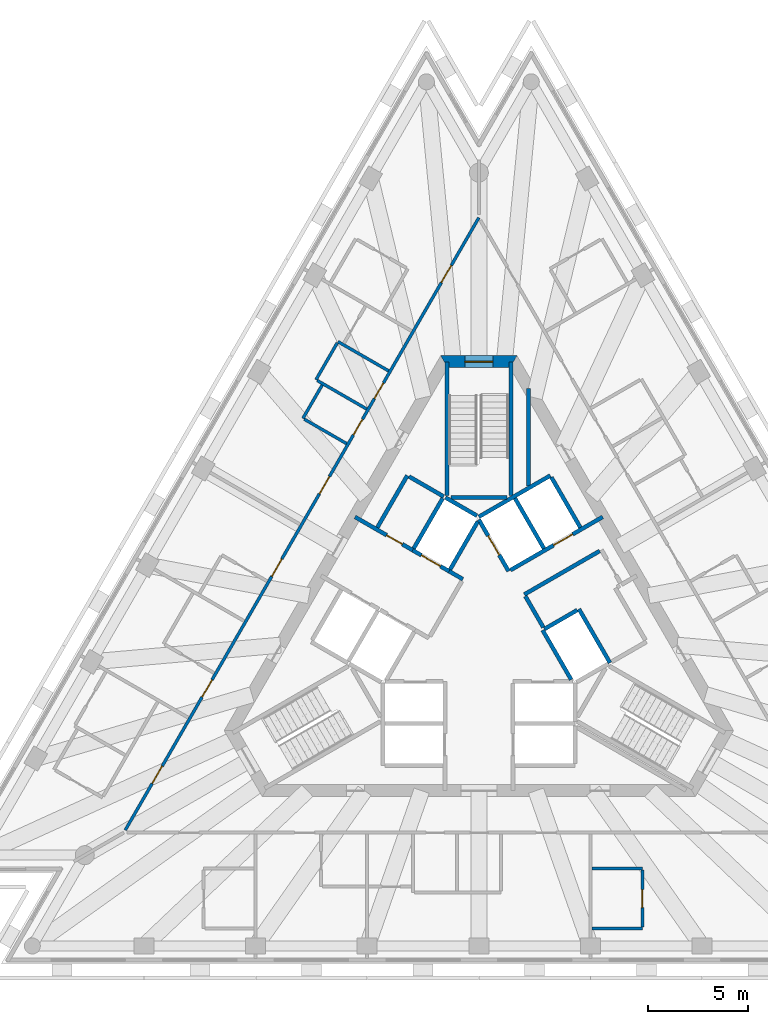
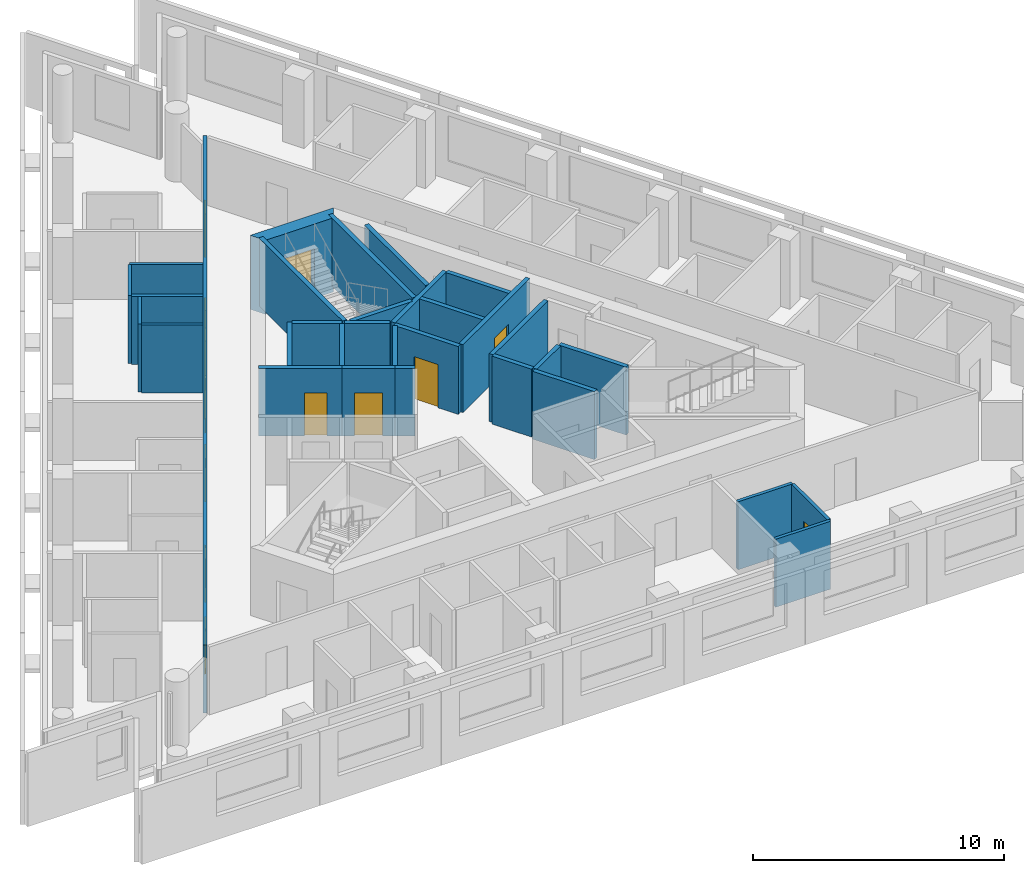
# One storey, part 5 of 10: 32 walls, 13 doors, 13 openings.
"""IFC4 building model written with IfcOpenShell, lengths in metres."""

from ifc_helpers import new_model, si_unit, direction, frame, frame_2d, origin, place, context, subcontext, project, spatial, polyline, rectangle, outline, extrude, material, layer, layer_set, type_object, element, fill, save


model = new_model("IFC4")

# Units and contexts
model_context = context("Model", 3, precision=1e-05, world=origin(), true_north=direction((0.0, 1.0)))
body_context = subcontext(model_context, "Body", "Model", "MODEL_VIEW")
ifc_project = project(units=[si_unit("LENGTHUNIT", "METRE"), si_unit("AREAUNIT", "SQUARE_METRE"), si_unit("VOLUMEUNIT", "CUBIC_METRE"), si_unit("PLANEANGLEUNIT", "RADIAN"), si_unit("MASSUNIT", "GRAM", prefix="KILO")], contexts=[model_context])

# Site, building, storey
site_placement = place(None, origin())
site = spatial("IfcSite", under=ifc_project, at=site_placement, CompositionType="ELEMENT")
building_placement = place(site_placement, origin())
building = spatial("IfcBuilding", under=site, at=building_placement, Name="Triada Interchange Tower", CompositionType="ELEMENT")
storey_placement = place(building_placement, frame((0.0, 0.0, 271.89990234375)))
storey = spatial("IfcBuildingStorey", under=building, at=storey_placement, Name="L63", CompositionType="ELEMENT", Elevation=271.89990234375)

# Wall
ifc_material_1 = material(Name="Concrete C30/37", Category="concrete")
ifc_layer_1 = layer(ifc_material_1, 0.199951171875)
ifc_layer_set_1 = layer_set([ifc_layer_1], Name="CORE WALL 200 EI 120")
wall_type_1 = type_object("IfcWallType", Name="CORE WALL 200 EI 120", PredefinedType="SOLIDWALL", material=ifc_layer_set_1)
wall_1_placement = place(storey_placement, frame((-0.001953125, 5.541015625, 0.0), z_axis=(0.0, 0.0, 1.0), x_axis=(0.86600155993, 0.500041296494, 0.0)))
element("IfcWall", 1, at=wall_1_placement, inside=storey, type_object=wall_type_1, Name="Wall L62 76", PredefinedType="SOLIDWALL", context=body_context, shape_type="SweptSolid", body=[
    extrude(rectangle(XDim=4.131591796875, YDim=0.199951171875, at=frame_2d((2.06591796875, 0.0))), origin(), (0.0, 0.0, 1.0), 3.300048828125),
])

# Wall, opening, door
wall_2_placement = place(storey_placement, frame((0.0, 5.39990234375, 0.0), z_axis=(0.0, 0.0, 1.0), x_axis=(0.500103862429, -0.865965430478, 0.0)))
wall_2 = element("IfcWall", 2, at=wall_2_placement, inside=storey, type_object=wall_type_1, Name="Wall L62 77", PredefinedType="SOLIDWALL", context=body_context, shape_type="SweptSolid", body=[
    extrude(rectangle(XDim=2.973388671875, YDim=0.199951171875, at=frame_2d((1.48681640625, 0.0))), origin(), (0.0, 0.0, 1.0), 3.300048828125),
])
opening_1_placement = place(wall_2_placement, frame((0.93701171875, 0.0, 0.0)))
opening_1 = element("IfcOpeningElement", 3, at=opening_1_placement, cuts=wall_2, Name="Opening LD-HR5", PredefinedType="OPENING", context=body_context, shape_type="SweptSolid", body=[
    extrude(rectangle(XDim=1.10009765625, YDim=2.10009765625, at=frame_2d((0.550048828125, 1.050048828125))), frame((0.0, 0.10986328125, 0.0), z_axis=(0.0, -1.0, 0.0), x_axis=(1.0, 0.0, 0.0)), (0.0, 0.0, 1.0), 0.219970703125),
])
ifc_material_2 = material(Name="Steel S235 door leaf", Category="steel")
door_type_1 = type_object("IfcDoorType", Name="LIFT LANDING DOOR 1100 EI 120", OperationType="SLIDING_TO_LEFT", PredefinedType="DOOR", material=ifc_material_2)
door_1_placement = place(opening_1_placement, origin())
door_1 = element("IfcDoor", 4, at=door_1_placement, inside=storey, type_object=door_type_1, Name="HR5 landing door L63", OperationType="SLIDING_TO_LEFT", OverallHeight=2.10009765625, OverallWidth=1.10009765625, PredefinedType="DOOR", context=body_context, shape_type="SweptSolid", body=[
    extrude(rectangle(XDim=1.10009765625, YDim=2.10009765625, at=frame_2d((0.550048828125, 1.050048828125))), frame((0.0, 0.02490234375, 0.0), z_axis=(0.0, -1.0, 0.0), x_axis=(1.0, 0.0, 0.0)), (0.0, 0.0, 1.0), 0.050048828125),
])
fill(opening_1, door_1)

# Wall
wall_3_placement = place(storey_placement, frame((3.18994140625, -0.125, 0.0), z_axis=(0.0, 0.0, 1.0), x_axis=(0.499988658015, -0.866031951983, 0.0)))
element("IfcWall", 5, at=wall_3_placement, inside=storey, type_object=wall_type_1, Name="Wall L62 78", PredefinedType="SOLIDWALL", context=body_context, shape_type="SweptSolid", body=[
    extrude(rectangle(XDim=2.85791015625, YDim=0.199951171875, at=frame_2d((1.428955078125, 0.0))), origin(), (0.0, 0.0, 1.0), 3.300048828125),
])

# Wall, opening, door
wall_4_placement = place(storey_placement, frame((1.577880859375, 2.8740234375, 0.0), z_axis=(0.0, 0.0, 1.0), x_axis=(0.866045911672, 0.499964477614, 0.0)))
wall_4 = element("IfcWall", 6, at=wall_4_placement, inside=storey, type_object=wall_type_1, Name="Wall L62 79", PredefinedType="SOLIDWALL", context=body_context, shape_type="SweptSolid", body=[
    extrude(rectangle(XDim=5.32666015625, YDim=0.199951171875, at=frame_2d((2.663330078125, 0.0))), origin(), (0.0, 0.0, 1.0), 3.300048828125),
])
opening_2_placement = place(wall_4_placement, frame((2.49609375, 0.0, 0.0)))
opening_2 = element("IfcOpeningElement", 7, at=opening_2_placement, cuts=wall_4, Name="Opening LD-HR6", PredefinedType="OPENING", context=body_context, shape_type="SweptSolid", body=[
    extrude(rectangle(XDim=1.10009765625, YDim=2.10009765625, at=frame_2d((0.550048828125, 1.050048828125))), frame((0.0, 0.10986328125, 0.0), z_axis=(0.0, -1.0, 0.0), x_axis=(1.0, 0.0, 0.0)), (0.0, 0.0, 1.0), 0.219970703125),
])
door_2_placement = place(opening_2_placement, origin())
door_2 = element("IfcDoor", 8, at=door_2_placement, inside=storey, type_object=door_type_1, Name="HR6 landing door L63", OperationType="SLIDING_TO_LEFT", OverallHeight=2.10009765625, OverallWidth=1.10009765625, PredefinedType="DOOR", context=body_context, shape_type="SweptSolid", body=[
    extrude(rectangle(XDim=1.10009765625, YDim=2.10009765625, at=frame_2d((0.550048828125, 1.050048828125))), frame((0.0, 0.02490234375, 0.0), z_axis=(0.0, -1.0, 0.0), x_axis=(1.0, 0.0, 0.0)), (0.0, 0.0, 1.0), 0.050048828125),
])
fill(opening_2, door_2)

# Walls
wall_5_placement = place(storey_placement, frame((1.806884765625, 6.469970703125, 0.0), z_axis=(0.0, 0.0, 1.0), x_axis=(0.50012328804, -0.865954211699, 0.0)))
element("IfcWall", 9, at=wall_5_placement, inside=storey, type_object=wall_type_1, Name="Wall L62 83", PredefinedType="SOLIDWALL", context=body_context, shape_type="SweptSolid", body=[
    extrude(rectangle(XDim=2.899658203125, YDim=0.199951171875, at=frame_2d((1.44970703125, 0.0))), origin(), (0.0, 0.0, 1.0), 3.300048828125),
])
wall_6_placement = place(storey_placement, frame((5.007080078125, 0.927978515625, 0.0), z_axis=(0.0, 0.0, 1.0), x_axis=(0.499899694197, -0.866083307622, 0.0)))
element("IfcWall", 10, at=wall_6_placement, inside=storey, type_object=wall_type_1, Name="Wall L62 84", PredefinedType="SOLIDWALL", context=body_context, shape_type="SweptSolid", body=[
    extrude(rectangle(XDim=3.100341796875, YDim=0.199951171875, at=frame_2d((1.55029296875, 0.0))), origin(), (0.0, 0.0, 1.0), 3.300048828125),
])
wall_7_placement = place(storey_placement, frame((3.6259765625, 7.52001953125, 0.0), z_axis=(0.0, 0.0, 1.0), x_axis=(0.500060147554, -0.865990674793, 0.0)))
element("IfcWall", 11, at=wall_7_placement, inside=storey, type_object=wall_type_1, Name="Wall L62 85", PredefinedType="SOLIDWALL", context=body_context, shape_type="SweptSolid", body=[
    extrude(rectangle(XDim=2.899658203125, YDim=0.199951171875, at=frame_2d((1.44970703125, 0.0))), origin(), (0.0, 0.0, 1.0), 3.300048828125),
])
wall_8_placement = place(storey_placement, frame((3.278076171875, -0.071044921875, 0.0), z_axis=(0.0, 0.0, 1.0), x_axis=(0.865784509405, 0.500417009377, 0.0)))
element("IfcWall", 12, at=wall_8_placement, inside=storey, type_object=wall_type_1, Name="Wall L62 86", PredefinedType="SOLIDWALL", context=body_context, shape_type="SweptSolid", body=[
    extrude(rectangle(XDim=1.896484375, YDim=0.199951171875, at=frame_2d((0.9482421875, 0.0))), origin(), (0.0, 0.0, 1.0), 3.300048828125),
])
wall_9_placement = place(storey_placement, frame((2.27490234375, 1.659912109375, 0.0), z_axis=(0.0, 0.0, 1.0), x_axis=(0.866013608182, 0.500020430026, 0.0)))
element("IfcWall", 13, at=wall_9_placement, inside=storey, type_object=wall_type_1, Name="Wall L62 89", PredefinedType="SOLIDWALL", context=body_context, shape_type="SweptSolid", body=[
    extrude(rectangle(XDim=4.349853515625, YDim=0.199951171875, at=frame_2d((2.1748046875, 0.0))), origin(), (0.0, 0.0, 1.0), 3.300048828125),
])
wall_10_placement = place(storey_placement, frame((2.324951171875, 1.572998046875, 0.0), z_axis=(0.0, 0.0, 1.0), x_axis=(0.500004188491, -0.866022985545, 0.0)))
element("IfcWall", 14, at=wall_10_placement, inside=storey, type_object=wall_type_1, Name="Wall L62 90", PredefinedType="SOLIDWALL", context=body_context, shape_type="SweptSolid", body=[
    extrude(rectangle(XDim=1.80029296875, YDim=0.199951171875, at=frame_2d((0.900146484375, 0.0))), origin(), (0.0, 0.0, 1.0), 3.300048828125),
])

# Wall, opening, door
ifc_layer_2 = layer(ifc_material_1, 0.199951171875)
ifc_layer_set_2 = layer_set([ifc_layer_2], Name="CORE WALL 200 EI 180")
wall_type_2 = type_object("IfcWallType", Name="CORE WALL 200 EI 180", PredefinedType="SOLIDWALL", material=ifc_layer_set_2)
wall_11_placement = place(storey_placement, frame((-6.19091796875, 5.537109375, 0.0), z_axis=(0.0, 0.0, 1.0), x_axis=(0.866052607023, -0.499952879648, 0.0)))
wall_11 = element("IfcWall", 15, at=wall_11_placement, inside=storey, type_object=wall_type_2, Name="Wall L62 94", PredefinedType="SOLIDWALL", context=body_context, shape_type="SweptSolid", body=[
    extrude(rectangle(XDim=3.332275390625, YDim=0.199951171875, at=frame_2d((1.666015625, 0.0))), origin(), (0.0, 0.0, 1.0), 3.300048828125),
])
opening_3_placement = place(wall_11_placement, frame((1.830078125, 0.0, 0.0)))
opening_3 = element("IfcOpeningElement", 16, at=opening_3_placement, cuts=wall_11, Name="Opening D62-10", PredefinedType="OPENING", context=body_context, shape_type="SweptSolid", body=[
    extrude(rectangle(XDim=0.89990234375, YDim=2.10009765625, at=frame_2d((0.449951171875, 1.050048828125))), frame((0.0, 0.10986328125, 0.0), z_axis=(0.0, -1.0, 0.0), x_axis=(1.0, 0.0, 0.0)), (0.0, 0.0, 1.0), 0.219970703125),
])
door_type_2 = type_object("IfcDoorType", Name="SERVICE DOOR 900 EI2 90-C5S200", OperationType="NOTDEFINED", PredefinedType="DOOR", material=ifc_material_2)
door_3_placement = place(opening_3_placement, origin())
door_3 = element("IfcDoor", 17, at=door_3_placement, inside=storey, type_object=door_type_2, Name="Door D62-10 L63", OperationType="SINGLE_SWING_LEFT", OverallHeight=2.10009765625, OverallWidth=0.89990234375, PredefinedType="DOOR", context=body_context, shape_type="SweptSolid", body=[
    extrude(rectangle(XDim=0.89990234375, YDim=2.10009765625, at=frame_2d((0.449951171875, 1.050048828125))), frame((0.0, 0.02490234375, 0.0), z_axis=(0.0, -1.0, 0.0), x_axis=(1.0, 0.0, 0.0)), (0.0, 0.0, 1.0), 0.050048828125),
])
fill(opening_3, door_3)

# Walls
wall_12_placement = place(storey_placement, frame((-1.488037109375, 2.822021484375, 0.0), z_axis=(0.0, 0.0, 1.0), x_axis=(0.866236612152, -0.499633997809, 0.0)))
element("IfcWall", 18, at=wall_12_placement, inside=storey, type_object=wall_type_2, Name="Wall L62 95", PredefinedType="SOLIDWALL", context=body_context, shape_type="SweptSolid", body=[
    extrude(rectangle(XDim=0.79638671875, YDim=0.199951171875, at=frame_2d((0.398193359375, 0.0))), origin(), (0.0, 0.0, 1.0), 3.300048828125),
])
wall_13_placement = place(storey_placement, frame((-5.075927734375, 5.009033203125, 0.0), z_axis=(0.0, 0.0, 1.0), x_axis=(0.50002537861, 0.866010750942, 0.0)))
element("IfcWall", 19, at=wall_13_placement, inside=storey, type_object=wall_type_2, Name="Wall L62 96", PredefinedType="SOLIDWALL", context=body_context, shape_type="SweptSolid", body=[
    extrude(rectangle(XDim=2.999755859375, YDim=0.199951171875, at=frame_2d((1.5, 0.0))), origin(), (0.0, 0.0, 1.0), 3.300048828125),
])
wall_14_placement = place(storey_placement, frame((-3.489013671875, 7.556884765625, 0.0), z_axis=(0.0, 0.0, 1.0), x_axis=(0.866010750942, -0.50002537861, 0.0)))
element("IfcWall", 20, at=wall_14_placement, inside=storey, type_object=wall_type_2, Name="Wall L62 97", PredefinedType="SOLIDWALL", context=body_context, shape_type="SweptSolid", body=[
    extrude(rectangle(XDim=2.0, YDim=0.199951171875, at=frame_2d((1.0, 0.0))), origin(), (0.0, 0.0, 1.0), 3.300048828125),
])

# Wall, opening, door
wall_15_placement = place(storey_placement, frame((-3.30908203125, 3.873046875, 0.0), z_axis=(0.0, 0.0, 1.0), x_axis=(0.866098583652, -0.499873227325, 0.0)))
wall_15 = element("IfcWall", 21, at=wall_15_placement, inside=storey, type_object=wall_type_2, Name="Shaft wall FF2 L62 103", PredefinedType="SOLIDWALL", context=body_context, shape_type="SweptSolid", body=[
    extrude(rectangle(XDim=2.1025390625, YDim=0.199951171875, at=frame_2d((1.05126953125, 0.0))), origin(), (0.0, 0.0, 1.0), 3.300048828125),
])
opening_4_placement = place(wall_15_placement, frame((0.501953125, 0.0, 0.0)))
opening_4 = element("IfcOpeningElement", 22, at=opening_4_placement, cuts=wall_15, Name="Opening LD-FF2", PredefinedType="OPENING", context=body_context, shape_type="SweptSolid", body=[
    extrude(rectangle(XDim=1.10009765625, YDim=2.10009765625, at=frame_2d((0.550048828125, 1.050048828125))), frame((0.0, 0.10986328125, 0.0), z_axis=(0.0, -1.0, 0.0), x_axis=(1.0, 0.0, 0.0)), (0.0, 0.0, 1.0), 0.219970703125),
])
door_4_placement = place(opening_4_placement, origin())
door_4 = element("IfcDoor", 23, at=door_4_placement, inside=storey, type_object=door_type_1, Name="FF2 landing door L63", OperationType="SLIDING_TO_LEFT", OverallHeight=2.10009765625, OverallWidth=1.10009765625, PredefinedType="DOOR", context=body_context, shape_type="SweptSolid", body=[
    extrude(rectangle(XDim=1.10009765625, YDim=2.10009765625, at=frame_2d((0.550048828125, 1.050048828125))), frame((0.0, 0.02490234375, 0.0), z_axis=(0.0, -1.0, 0.0), x_axis=(1.0, 0.0, 0.0)), (0.0, 0.0, 1.0), 0.050048828125),
])
fill(opening_4, door_4)

# Walls
wall_16_placement = place(storey_placement, frame((-3.257080078125, 3.958984375, 0.0), z_axis=(0.0, 0.0, 1.0), x_axis=(0.50012328804, 0.865954211699, 0.0)))
element("IfcWall", 24, at=wall_16_placement, inside=storey, type_object=wall_type_2, Name="Shaft wall FF2 L62 104", PredefinedType="SOLIDWALL", context=body_context, shape_type="SweptSolid", body=[
    extrude(rectangle(XDim=2.899658203125, YDim=0.199951171875, at=frame_2d((1.44970703125, 0.0))), origin(), (0.0, 0.0, 1.0), 3.300048828125),
])
wall_17_placement = place(storey_placement, frame((-1.669921875, 6.507080078125, 0.0), z_axis=(0.0, 0.0, 1.0), x_axis=(0.865941441609, -0.500145398563, 0.0)))
element("IfcWall", 25, at=wall_17_placement, inside=storey, type_object=wall_type_2, Name="Shaft wall FF2 L62 105", PredefinedType="SOLIDWALL", context=body_context, shape_type="SweptSolid", body=[
    extrude(rectangle(XDim=1.8154296875, YDim=0.199951171875, at=frame_2d((0.90771484375, 0.0))), origin(), (0.0, 0.0, 1.0), 3.300048828125),
])
wall_18_placement = place(storey_placement, frame((-1.43798828125, 2.908935546875, 0.0), z_axis=(0.0, 0.0, 1.0), x_axis=(0.499829630636, 0.866123744241, 0.0)))
element("IfcWall", 26, at=wall_18_placement, inside=storey, type_object=wall_type_2, Name="Shaft wall FF2 L62 106", PredefinedType="SOLIDWALL", context=body_context, shape_type="SweptSolid", body=[
    extrude(rectangle(XDim=2.7607421875, YDim=0.199951171875, at=frame_2d((1.38037109375, 0.0))), origin(), (0.0, 0.0, 1.0), 3.300048828125),
])
ifc_layer_3 = layer(ifc_material_1, 0.199951171875)
ifc_layer_set_3 = layer_set([ifc_layer_3], Name="CORE WALL 200 EI 90")
wall_type_3 = type_object("IfcWallType", Name="CORE WALL 200 EI 90", PredefinedType="SOLIDWALL", material=ifc_layer_set_3)
wall_19_placement = place(storey_placement, frame((2.48291015625, 7.092041015625, 0.0), z_axis=(0.0, 0.0, 1.0), x_axis=(0.0, 1.0, 0.0)))
element("IfcWall", 27, at=wall_19_placement, inside=storey, type_object=wall_type_3, Name="Wall L62 107", PredefinedType="SOLIDWALL", context=body_context, shape_type="SweptSolid", body=[
    extrude(rectangle(XDim=4.866943359375, YDim=0.199951171875, at=frame_2d((2.43359375, 0.0))), origin(), (0.0, 0.0, 1.0), 3.300048828125),
])
ifc_layer_4 = layer(ifc_material_1, 0.199951171875)
ifc_layer_set_4 = layer_set([ifc_layer_4], Name="CORE WALL 200 REI 240")
wall_type_4 = type_object("IfcWallType", Name="CORE WALL 200 REI 240", PredefinedType="SOLIDWALL", material=ifc_layer_set_4)
wall_20_placement = place(storey_placement, frame((1.60009765625, 6.614990234375, 0.0), z_axis=(0.0, 0.0, 1.0), x_axis=(0.0, 1.0, 0.0)))
element("IfcWall", 28, at=wall_20_placement, inside=storey, type_object=wall_type_4, Name="Wall L62 115", PredefinedType="SOLIDWALL", context=body_context, shape_type="SweptSolid", body=[
    extrude(rectangle(XDim=6.6650390625, YDim=0.199951171875, at=frame_2d((3.33251953125, 0.0))), origin(), (0.0, 0.0, 1.0), 3.300048828125),
])
wall_21_placement = place(storey_placement, frame((-1.39990234375, 6.5, 0.0), z_axis=(0.0, 0.0, 1.0), x_axis=(1.0, 0.0, 0.0)))
element("IfcWall", 29, at=wall_21_placement, inside=storey, type_object=wall_type_4, Name="Wall L62 116", PredefinedType="SOLIDWALL", context=body_context, shape_type="SweptSolid", body=[
    extrude(rectangle(XDim=2.7998046875, YDim=0.199951171875, at=frame_2d((1.39990234375, 0.0))), origin(), (0.0, 0.0, 1.0), 3.300048828125),
])
wall_22_placement = place(storey_placement, frame((-1.60009765625, 6.614990234375, 0.0), z_axis=(0.0, 0.0, 1.0), x_axis=(0.0, 1.0, 0.0)))
element("IfcWall", 30, at=wall_22_placement, inside=storey, type_object=wall_type_4, Name="Wall L62 117", PredefinedType="SOLIDWALL", context=body_context, shape_type="SweptSolid", body=[
    extrude(rectangle(XDim=6.6650390625, YDim=0.199951171875, at=frame_2d((3.33251953125, 0.0))), origin(), (0.0, 0.0, 1.0), 3.300048828125),
])

# Wall, opening, door
ifc_material_3 = material(Name="Concrete C40/50", Category="concrete")
ifc_layer_5 = layer(ifc_material_3, 0.60009765625)
ifc_layer_set_5 = layer_set([ifc_layer_5], Name="Core wall D 600")
wall_type_5 = type_object("IfcWallType", Name="Core wall D 600", PredefinedType="SHEAR", material=ifc_layer_set_5)
wall_23_placement = place(storey_placement, frame((1.73193359375, 13.300048828125, -0.2998046875), z_axis=(0.0, 0.0, 1.0), x_axis=(-1.0, 0.0, 0.0)))
wall_23 = element("IfcWall", 31, at=wall_23_placement, inside=storey, type_object=wall_type_5, Name="Core wall WD01 L63", PredefinedType="SHEAR", context=body_context, shape_type="SweptSolid", body=[
    extrude(outline(polyline([(-0.173095703125, -0.300048828125), (1.73193359375, -0.300048828125), (3.636962890625, -0.300048828125), (3.291015625, 0.300048828125), (1.73193359375, 0.300048828125), (0.173095703125, 0.300048828125), (-0.173095703125, -0.300048828125)])), origin(), (0.0, 0.0, 1.0), 3.599853515625),
])
opening_5_placement = place(wall_23_placement, frame((1.031982421875, 0.0, 0.300048828125)))
opening_5 = element("IfcOpeningElement", 32, at=opening_5_placement, cuts=wall_23, Name="Opening D62-48", PredefinedType="OPENING", context=body_context, shape_type="SweptSolid", body=[
    extrude(rectangle(XDim=1.39990234375, YDim=2.10009765625, at=frame_2d((0.699951171875, 1.050048828125))), frame((0.0, 0.31005859375, 0.0), z_axis=(0.0, -1.0, 0.0), x_axis=(1.0, 0.0, 0.0)), (0.0, 0.0, 1.0), 0.6201171875),
])
door_type_3 = type_object("IfcDoorType", Name="STAIR DOOR 1400 EI2 90-C5S200", OperationType="DOUBLE_DOOR_SINGLE_SWING", PredefinedType="DOOR", material=ifc_material_2)
door_5_placement = place(opening_5_placement, origin())
door_5 = element("IfcDoor", 33, at=door_5_placement, inside=storey, type_object=door_type_3, Name="Door D62-48 L63", OperationType="DOUBLE_DOOR_SINGLE_SWING", OverallHeight=2.10009765625, OverallWidth=1.39990234375, PredefinedType="DOOR", context=body_context, shape_type="SweptSolid", body=[
    extrude(rectangle(XDim=1.39990234375, YDim=2.10009765625, at=frame_2d((0.699951171875, 1.050048828125))), frame((0.0, 0.02490234375, 0.0), z_axis=(0.0, -1.0, 0.0), x_axis=(1.0, 0.0, 0.0)), (0.0, 0.0, 1.0), 0.050048828125),
])
fill(opening_5, door_5)

# Wall, openings, doors
ifc_material_4 = material(Name="Gypsum board partition")
ifc_layer_6 = layer(ifc_material_4, 0.14990234375)
ifc_layer_set_6 = layer_set([ifc_layer_6], Name="PARTITION 150 EI 180")
wall_type_6 = type_object("IfcWallType", Name="PARTITION 150 EI 180", PredefinedType="PARTITIONING", material=ifc_layer_set_6)
wall_24_placement = place(storey_placement, frame((-17.677978515625, -10.1201171875, 0.0), z_axis=(0.0, 0.0, 1.0), x_axis=(0.49998824015, 0.86603219323, 0.0)))
wall_24 = element("IfcWall", 34, at=wall_24_placement, inside=storey, type_object=wall_type_6, Name="Wall L62 4", PredefinedType="PARTITIONING", context=body_context, shape_type="SweptSolid", body=[
    extrude(rectangle(XDim=35.356689453125, YDim=0.14990234375, at=frame_2d((17.67822265625, 0.0))), origin(), (0.0, 0.0, 1.0), 3.300048828125),
])
opening_6_placement = place(wall_24_placement, frame((31.60693359375, 0.0, 0.0)))
opening_6 = element("IfcOpeningElement", 35, at=opening_6_placement, cuts=wall_24, Name="Opening D62-34", PredefinedType="OPENING", context=body_context, shape_type="SweptSolid", body=[
    extrude(rectangle(XDim=1.0, YDim=2.10009765625, at=frame_2d((0.5, 1.050048828125))), frame((0.0, 0.0849609375, 0.0), z_axis=(0.0, -1.0, 0.0), x_axis=(1.0, 0.0, 0.0)), (0.0, 0.0, 1.0), 0.169921875),
])
opening_7_placement = place(wall_24_placement, frame((19.416015625, 0.0, 0.0)))
opening_7 = element("IfcOpeningElement", 36, at=opening_7_placement, cuts=wall_24, Name="Opening D62-36", PredefinedType="OPENING", context=body_context, shape_type="SweptSolid", body=[
    extrude(rectangle(XDim=1.0, YDim=2.10009765625, at=frame_2d((0.5, 1.050048828125))), frame((0.0, 0.0849609375, 0.0), z_axis=(0.0, -1.0, 0.0), x_axis=(1.0, 0.0, 0.0)), (0.0, 0.0, 1.0), 0.169921875),
])
opening_8_placement = place(wall_24_placement, frame((24.916015625, 0.0, 0.0)))
opening_8 = element("IfcOpeningElement", 37, at=opening_8_placement, cuts=wall_24, Name="Opening D62-38", PredefinedType="OPENING", context=body_context, shape_type="SweptSolid", body=[
    extrude(rectangle(XDim=0.89990234375, YDim=2.10009765625, at=frame_2d((0.449951171875, 1.050048828125))), frame((0.0, 0.0849609375, 0.0), z_axis=(0.0, -1.0, 0.0), x_axis=(1.0, 0.0, 0.0)), (0.0, 0.0, 1.0), 0.169921875),
])
opening_9_placement = place(wall_24_placement, frame((22.81591796875, 0.0, 0.0)))
opening_9 = element("IfcOpeningElement", 38, at=opening_9_placement, cuts=wall_24, Name="Opening D62-39", PredefinedType="OPENING", context=body_context, shape_type="SweptSolid", body=[
    extrude(rectangle(XDim=0.89990234375, YDim=2.10009765625, at=frame_2d((0.449951171875, 1.050048828125))), frame((0.0, 0.0849609375, 0.0), z_axis=(0.0, -1.0, 0.0), x_axis=(1.0, 0.0, 0.0)), (0.0, 0.0, 1.0), 0.169921875),
])
opening_10_placement = place(wall_24_placement, frame((14.654052734375, 0.0, 0.0)))
opening_10 = element("IfcOpeningElement", 39, at=opening_10_placement, cuts=wall_24, Name="Opening D62-40", PredefinedType="OPENING", context=body_context, shape_type="SweptSolid", body=[
    extrude(rectangle(XDim=1.0, YDim=2.10009765625, at=frame_2d((0.5, 1.050048828125))), frame((0.0, 0.0849609375, 0.0), z_axis=(0.0, -1.0, 0.0), x_axis=(1.0, 0.0, 0.0)), (0.0, 0.0, 1.0), 0.169921875),
])
opening_11_placement = place(wall_24_placement, frame((7.672119140625, 0.0, 0.0)))
opening_11 = element("IfcOpeningElement", 40, at=opening_11_placement, cuts=wall_24, Name="Opening D62-42", PredefinedType="OPENING", context=body_context, shape_type="SweptSolid", body=[
    extrude(rectangle(XDim=1.0, YDim=2.10009765625, at=frame_2d((0.5, 1.050048828125))), frame((0.0, 0.0849609375, 0.0), z_axis=(0.0, -1.0, 0.0), x_axis=(1.0, 0.0, 0.0)), (0.0, 0.0, 1.0), 0.169921875),
])
opening_12_placement = place(wall_24_placement, frame((2.68994140625, 0.0, 0.0)))
opening_12 = element("IfcOpeningElement", 41, at=opening_12_placement, cuts=wall_24, Name="Opening D62-44", PredefinedType="OPENING", context=body_context, shape_type="SweptSolid", body=[
    extrude(rectangle(XDim=1.0, YDim=2.10009765625, at=frame_2d((0.5, 1.050048828125))), frame((0.0, 0.0849609375, 0.0), z_axis=(0.0, -1.0, 0.0), x_axis=(1.0, 0.0, 0.0)), (0.0, 0.0, 1.0), 0.169921875),
])
door_type_4 = type_object("IfcDoorType", Name="GUEST ROOM DOOR 1000 EI2 90-C5S200", OperationType="NOTDEFINED", PredefinedType="DOOR", material=ifc_material_2)
door_6_placement = place(opening_6_placement, origin())
door_6 = element("IfcDoor", 42, at=door_6_placement, inside=storey, type_object=door_type_4, Name="Door D62-34 L63", OperationType="SINGLE_SWING_RIGHT", OverallHeight=2.10009765625, OverallWidth=1.0, PredefinedType="DOOR", context=body_context, shape_type="SweptSolid", body=[
    extrude(rectangle(XDim=1.0, YDim=2.10009765625, at=frame_2d((0.5, 1.050048828125))), frame((0.0, 0.02490234375, 0.0), z_axis=(0.0, -1.0, 0.0), x_axis=(1.0, 0.0, 0.0)), (0.0, 0.0, 1.0), 0.050048828125),
])
fill(opening_6, door_6)
door_7_placement = place(opening_7_placement, origin())
door_7 = element("IfcDoor", 43, at=door_7_placement, inside=storey, type_object=door_type_4, Name="Door D62-36 L63", OperationType="SINGLE_SWING_RIGHT", OverallHeight=2.10009765625, OverallWidth=1.0, PredefinedType="DOOR", context=body_context, shape_type="SweptSolid", body=[
    extrude(rectangle(XDim=1.0, YDim=2.10009765625, at=frame_2d((0.5, 1.050048828125))), frame((0.0, 0.02490234375, 0.0), z_axis=(0.0, -1.0, 0.0), x_axis=(1.0, 0.0, 0.0)), (0.0, 0.0, 1.0), 0.050048828125),
])
fill(opening_7, door_7)
door_8_placement = place(opening_10_placement, origin())
door_8 = element("IfcDoor", 44, at=door_8_placement, inside=storey, type_object=door_type_4, Name="Door D62-40 L63", OperationType="SINGLE_SWING_RIGHT", OverallHeight=2.10009765625, OverallWidth=1.0, PredefinedType="DOOR", context=body_context, shape_type="SweptSolid", body=[
    extrude(rectangle(XDim=1.0, YDim=2.10009765625, at=frame_2d((0.5, 1.050048828125))), frame((0.0, 0.02490234375, 0.0), z_axis=(0.0, -1.0, 0.0), x_axis=(1.0, 0.0, 0.0)), (0.0, 0.0, 1.0), 0.050048828125),
])
fill(opening_10, door_8)
door_9_placement = place(opening_11_placement, origin())
door_9 = element("IfcDoor", 45, at=door_9_placement, inside=storey, type_object=door_type_4, Name="Door D62-42 L63", OperationType="SINGLE_SWING_LEFT", OverallHeight=2.10009765625, OverallWidth=1.0, PredefinedType="DOOR", context=body_context, shape_type="SweptSolid", body=[
    extrude(rectangle(XDim=1.0, YDim=2.10009765625, at=frame_2d((0.5, 1.050048828125))), frame((0.0, 0.02490234375, 0.0), z_axis=(0.0, -1.0, 0.0), x_axis=(1.0, 0.0, 0.0)), (0.0, 0.0, 1.0), 0.050048828125),
])
fill(opening_11, door_9)
door_10_placement = place(opening_12_placement, origin())
door_10 = element("IfcDoor", 46, at=door_10_placement, inside=storey, type_object=door_type_4, Name="Door D62-44 L63", OperationType="SINGLE_SWING_LEFT", OverallHeight=2.10009765625, OverallWidth=1.0, PredefinedType="DOOR", context=body_context, shape_type="SweptSolid", body=[
    extrude(rectangle(XDim=1.0, YDim=2.10009765625, at=frame_2d((0.5, 1.050048828125))), frame((0.0, 0.02490234375, 0.0), z_axis=(0.0, -1.0, 0.0), x_axis=(1.0, 0.0, 0.0)), (0.0, 0.0, 1.0), 0.050048828125),
])
fill(opening_12, door_10)
door_type_5 = type_object("IfcDoorType", Name="ROOM DOOR 900 EI2 90-C5S200", OperationType="NOTDEFINED", PredefinedType="DOOR", material=ifc_material_2)
door_11_placement = place(opening_9_placement, origin())
door_11 = element("IfcDoor", 47, at=door_11_placement, inside=storey, type_object=door_type_5, Name="Door D62-39 L63", OperationType="SINGLE_SWING_RIGHT", OverallHeight=2.10009765625, OverallWidth=0.89990234375, PredefinedType="DOOR", context=body_context, shape_type="SweptSolid", body=[
    extrude(rectangle(XDim=0.89990234375, YDim=2.10009765625, at=frame_2d((0.449951171875, 1.050048828125))), frame((0.0, 0.02490234375, 0.0), z_axis=(0.0, -1.0, 0.0), x_axis=(1.0, 0.0, 0.0)), (0.0, 0.0, 1.0), 0.050048828125),
])
fill(opening_9, door_11)
door_12_placement = place(opening_8_placement, origin())
door_12 = element("IfcDoor", 48, at=door_12_placement, inside=storey, type_object=door_type_2, Name="Door D62-38 L63", OperationType="SINGLE_SWING_RIGHT", OverallHeight=2.10009765625, OverallWidth=0.89990234375, PredefinedType="DOOR", context=body_context, shape_type="SweptSolid", body=[
    extrude(rectangle(XDim=0.89990234375, YDim=2.10009765625, at=frame_2d((0.449951171875, 1.050048828125))), frame((0.0, 0.02490234375, 0.0), z_axis=(0.0, -1.0, 0.0), x_axis=(1.0, 0.0, 0.0)), (0.0, 0.0, 1.0), 0.050048828125),
])
fill(opening_8, door_12)

# Walls
wall_25_placement = place(storey_placement, frame((-7.04296875, 14.301025390625, 0.0), z_axis=(0.0, 0.0, 1.0), x_axis=(0.865917290158, -0.500187211558, 0.0)))
element("IfcWall", 49, at=wall_25_placement, inside=storey, type_object=wall_type_6, Name="Wall L62 11", PredefinedType="PARTITIONING", context=body_context, shape_type="SweptSolid", body=[
    extrude(rectangle(XDim=2.92529296875, YDim=0.14990234375, at=frame_2d((1.462646484375, 0.0))), origin(), (0.0, 0.0, 1.0), 3.300048828125),
])
wall_26_placement = place(storey_placement, frame((-8.14306640625, 12.39501953125, 0.0), z_axis=(0.0, 0.0, 1.0), x_axis=(0.499672732084, 0.866214269573, 0.0)))
element("IfcWall", 50, at=wall_26_placement, inside=storey, type_object=wall_type_6, Name="Wall L62 12", PredefinedType="PARTITIONING", context=body_context, shape_type="SweptSolid", body=[
    extrude(rectangle(XDim=2.12548828125, YDim=0.14990234375, at=frame_2d((1.062744140625, 0.0))), origin(), (0.0, 0.0, 1.0), 3.300048828125),
])
wall_27_placement = place(storey_placement, frame((-8.077880859375, 12.35791015625, 0.0), z_axis=(0.0, 0.0, 1.0), x_axis=(0.866020080793, -0.500009219579, 0.0)))
element("IfcWall", 51, at=wall_27_placement, inside=storey, type_object=wall_type_6, Name="Wall L62 13", PredefinedType="PARTITIONING", context=body_context, shape_type="SweptSolid", body=[
    extrude(rectangle(XDim=2.849609375, YDim=0.14990234375, at=frame_2d((1.4248046875, 0.0))), origin(), (0.0, 0.0, 1.0), 3.300048828125),
])
wall_28_placement = place(storey_placement, frame((-8.797119140625, 10.462890625, 0.0), z_axis=(0.0, 0.0, 1.0), x_axis=(0.500271259635, 0.865868735308, 0.0)))
element("IfcWall", 52, at=wall_28_placement, inside=storey, type_object=wall_type_6, Name="Wall L62 14", PredefinedType="PARTITIONING", context=body_context, shape_type="SweptSolid", body=[
    extrude(rectangle(XDim=1.92529296875, YDim=0.14990234375, at=frame_2d((0.962646484375, 0.0))), origin(), (0.0, 0.0, 1.0), 3.300048828125),
])
wall_29_placement = place(storey_placement, frame((-8.73193359375, 10.426025390625, 0.0), z_axis=(0.0, 0.0, 1.0), x_axis=(0.866014668023, -0.500018594424, 0.0)))
element("IfcWall", 53, at=wall_29_placement, inside=storey, type_object=wall_type_6, Name="Wall L62 15", PredefinedType="PARTITIONING", context=body_context, shape_type="SweptSolid", body=[
    extrude(rectangle(XDim=2.4501953125, YDim=0.14990234375, at=frame_2d((1.22509765625, 0.0))), origin(), (0.0, 0.0, 1.0), 3.300048828125),
])
ifc_layer_7 = layer(ifc_material_4, 0.14990234375)
ifc_layer_set_7 = layer_set([ifc_layer_7], Name="PARTITION 150 EI 90")
wall_type_7 = type_object("IfcWallType", Name="PARTITION 150 EI 90", PredefinedType="PARTITIONING", material=ifc_layer_set_7)
for number, where, z_axis, x_axis, name in (
    (54, (5.656005859375, -12.050048828125, 0.0), (0.0, 0.0, 1.0), (1.0, 0.0, 0.0), "Wall L62 44"),
    (55, (5.656005859375, -15.050048828125, 0.0), (0.0, 0.0, 1.0), (1.0, 0.0, 0.0), "Wall L62 47"),
):
    element("IfcWall", number, at=place(storey_placement, frame(where, z_axis=z_axis, x_axis=x_axis)), inside=storey, type_object=wall_type_7, Name=name, PredefinedType="PARTITIONING", context=body_context, shape_type="SweptSolid", body=[
        extrude(rectangle(XDim=2.52490234375, YDim=0.14990234375, at=frame_2d((1.262451171875, 0.0))), origin(), (0.0, 0.0, 1.0), 3.300048828125),
    ])

# Wall, opening, door
wall_30_placement = place(storey_placement, frame((8.180908203125, -14.97509765625, 0.0), z_axis=(0.0, 0.0, 1.0), x_axis=(0.0, 1.0, 0.0)))
wall_30 = element("IfcWall", 56, at=wall_30_placement, inside=storey, type_object=wall_type_7, Name="Wall L62 57", PredefinedType="PARTITIONING", context=body_context, shape_type="SweptSolid", body=[
    extrude(rectangle(XDim=2.85009765625, YDim=0.14990234375, at=frame_2d((1.425048828125, 0.0))), origin(), (0.0, 0.0, 1.0), 3.300048828125),
])
opening_13_placement = place(wall_30_placement, frame((0.97509765625, 0.0, 0.0)))
opening_13 = element("IfcOpeningElement", 57, at=opening_13_placement, cuts=wall_30, Name="Opening D62-20", PredefinedType="OPENING", context=body_context, shape_type="SweptSolid", body=[
    extrude(rectangle(XDim=0.89990234375, YDim=2.10009765625, at=frame_2d((0.449951171875, 1.050048828125))), frame((0.0, 0.0849609375, 0.0), z_axis=(0.0, -1.0, 0.0), x_axis=(1.0, 0.0, 0.0)), (0.0, 0.0, 1.0), 0.169921875),
])
door_type_6 = type_object("IfcDoorType", Name="ROOM DOOR 900 EI2 45-C5S200", OperationType="NOTDEFINED", PredefinedType="DOOR", material=ifc_material_2)
door_13_placement = place(opening_13_placement, origin())
door_13 = element("IfcDoor", 58, at=door_13_placement, inside=storey, type_object=door_type_6, Name="Door D62-20 L63", OperationType="SINGLE_SWING_LEFT", OverallHeight=2.10009765625, OverallWidth=0.89990234375, PredefinedType="DOOR", context=body_context, shape_type="SweptSolid", body=[
    extrude(rectangle(XDim=0.89990234375, YDim=2.10009765625, at=frame_2d((0.449951171875, 1.050048828125))), frame((0.0, 0.02490234375, 0.0), z_axis=(0.0, -1.0, 0.0), x_axis=(1.0, 0.0, 0.0)), (0.0, 0.0, 1.0), 0.050048828125),
])
fill(opening_13, door_13)

save(model, "model.ifc")
